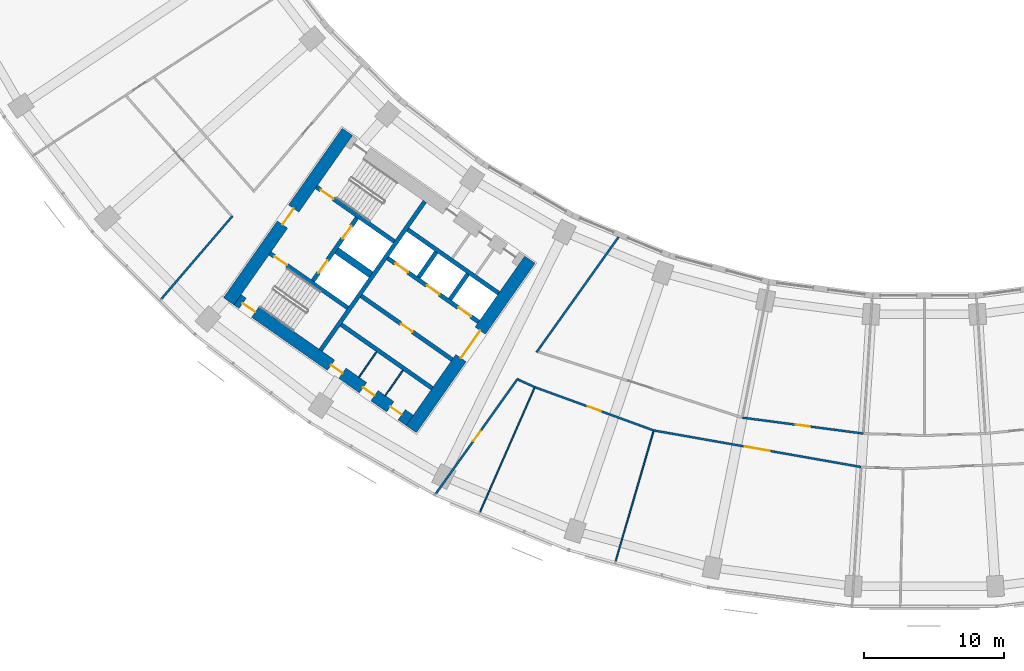
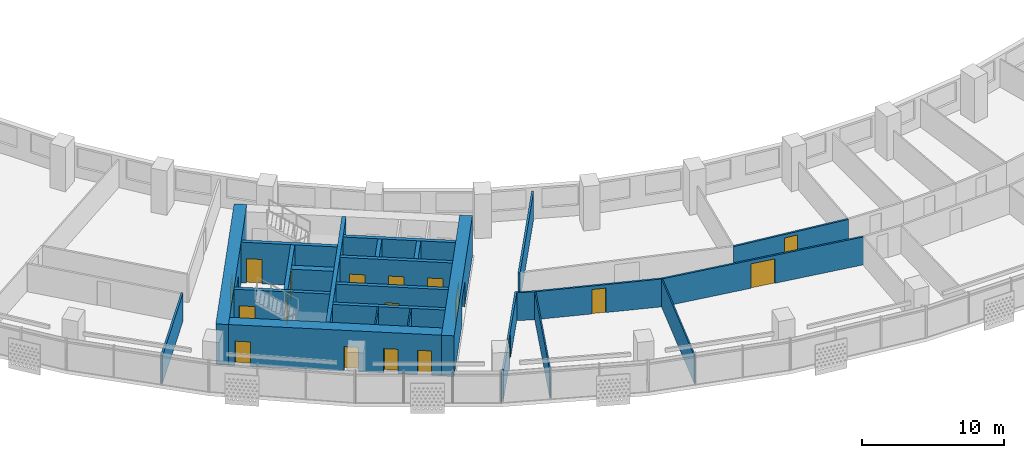
# One storey, part 3 of 29: 25 walls, 18 doors, 18 openings.
"""IFC4 building model written with IfcOpenShell, lengths in metres."""

from ifc_helpers import new_model, si_unit, direction, frame, frame_2d, origin, place, context, subcontext, project, spatial, rectangle, extrude, material, layer, layer_set, type_object, element, fill, save


model = new_model("IFC4")

# Units and contexts
model_context = context("Model", 3, precision=1e-05, world=origin(), true_north=direction((0.0, 1.0)))
body_context = subcontext(model_context, "Body", "Model", "MODEL_VIEW")
ifc_project = project(units=[si_unit("LENGTHUNIT", "METRE"), si_unit("AREAUNIT", "SQUARE_METRE"), si_unit("VOLUMEUNIT", "CUBIC_METRE"), si_unit("PLANEANGLEUNIT", "RADIAN"), si_unit("MASSUNIT", "GRAM", prefix="KILO")], contexts=[model_context])

# Site, building, storey
site_placement = place(None, origin())
site = spatial("IfcSite", under=ifc_project, at=site_placement, CompositionType="ELEMENT")
building_placement = place(site_placement, origin())
building = spatial("IfcBuilding", under=site, at=building_placement, Name="Qamariyya Broadcast Tower", CompositionType="ELEMENT")
storey_placement = place(building_placement, frame((0.0, 0.0, 136.699951171875)))
storey = spatial("IfcBuildingStorey", under=building, at=storey_placement, Name="L31", CompositionType="ELEMENT", Elevation=136.699951171875)

# Wall, opening, door
ifc_material_1 = material(Name="Concrete C70/85", Category="concrete")
ifc_layer_1 = layer(ifc_material_1, 0.89990234375)
ifc_layer_set_1 = layer_set([ifc_layer_1], Name="Core wall 900 mm Concrete C70/85")
wall_type_1 = type_object("IfcWallType", Name="Core wall 900 mm Concrete C70/85", PredefinedType="SHEAR", material=ifc_layer_set_1)
wall_1_placement = place(storey_placement, frame((-36.716796875, -66.3369140625, 0.0), z_axis=(0.0, 0.0, 1.0), x_axis=(0.573577477574, 0.819151315216, 0.0)))
wall_1 = element("IfcWall", 1, at=wall_1_placement, inside=storey, type_object=wall_type_1, Name="k-W-L31-WA", PredefinedType="SHEAR", context=body_context, shape_type="SweptSolid", body=[
    extrude(rectangle(XDim=14.800048828125, YDim=0.89990234375, at=frame_2d((7.39990234375, 0.0))), origin(), (0.0, 0.0, 1.0), 3.5),
])
opening_1_placement = place(wall_1_placement, frame((6.199951171875, 0.0, 0.0)))
opening_1 = element("IfcOpeningElement", 2, at=opening_1_placement, cuts=wall_1, Name="Opening KD3-W1", PredefinedType="OPENING", context=body_context, shape_type="SweptSolid", body=[
    extrude(rectangle(XDim=2.39990234375, YDim=2.10009765625, at=frame_2d((1.199951171875, 1.050048828125))), frame((0.0, 0.4599609375, 0.0), z_axis=(0.0, -1.0, 0.0), x_axis=(1.0, 0.0, 0.0)), (0.0, 0.0, 1.0), 0.919921875),
])
ifc_material_2 = material(Name="Steel fire-resisting door leaf", Category="steel")
door_type_1 = type_object("IfcDoorType", Name="Lift lobby door KD3", OperationType="DOUBLE_DOOR_SINGLE_SWING", PredefinedType="DOOR", material=ifc_material_2)
door_1_placement = place(opening_1_placement, origin())
door_1 = element("IfcDoor", 3, at=door_1_placement, inside=storey, type_object=door_type_1, Name="k-W-L31-WA-D1", OperationType="DOUBLE_DOOR_SINGLE_SWING", OverallHeight=2.10009765625, OverallWidth=2.39990234375, PredefinedType="DOOR", context=body_context, shape_type="SweptSolid", body=[
    extrude(rectangle(XDim=2.39990234375, YDim=2.10009765625, at=frame_2d((1.199951171875, 1.050048828125))), frame((0.0, 0.02490234375, 0.0), z_axis=(0.0, -1.0, 0.0), x_axis=(1.0, 0.0, 0.0)), (0.0, 0.0, 1.0), 0.050048828125),
])
fill(opening_1, door_1)

wall_2_placement = place(storey_placement, frame((-49.778564453125, -57.191162109375, 0.0), z_axis=(0.0, 0.0, 1.0), x_axis=(0.573577477574, 0.819151315216, 0.0)))
wall_2 = element("IfcWall", 4, at=wall_2_placement, inside=storey, type_object=wall_type_1, Name="k-W-L31-WH", PredefinedType="SHEAR", context=body_context, shape_type="SweptSolid", body=[
    extrude(rectangle(XDim=14.800048828125, YDim=0.89990234375, at=frame_2d((7.39990234375, 0.0))), origin(), (0.0, 0.0, 1.0), 3.5),
])
opening_2_placement = place(wall_2_placement, frame((6.699951171875, 0.0, 0.0)))
opening_2 = element("IfcOpeningElement", 5, at=opening_2_placement, cuts=wall_2, Name="Opening KD2-W1", PredefinedType="OPENING", context=body_context, shape_type="SweptSolid", body=[
    extrude(rectangle(XDim=1.39990234375, YDim=2.10009765625, at=frame_2d((0.699951171875, 1.050048828125))), frame((0.0, 0.4599609375, 0.0), z_axis=(0.0, -1.0, 0.0), x_axis=(1.0, 0.0, 0.0)), (0.0, 0.0, 1.0), 0.919921875),
])
door_type_2 = type_object("IfcDoorType", Name="Fire-fighting lobby door KD2", OperationType="DOUBLE_DOOR_SINGLE_SWING", PredefinedType="DOOR", material=ifc_material_2)
door_2_placement = place(opening_2_placement, origin())
door_2 = element("IfcDoor", 6, at=door_2_placement, inside=storey, type_object=door_type_2, Name="k-W-L31-WH-D14", OperationType="DOUBLE_DOOR_SINGLE_SWING", OverallHeight=2.10009765625, OverallWidth=1.39990234375, PredefinedType="DOOR", context=body_context, shape_type="SweptSolid", body=[
    extrude(rectangle(XDim=1.39990234375, YDim=2.10009765625, at=frame_2d((0.699951171875, 1.050048828125))), frame((0.0, 0.02490234375, 0.0), z_axis=(0.0, -1.0, 0.0), x_axis=(1.0, 0.0, 0.0)), (0.0, 0.0, 1.0), 0.050048828125),
])
fill(opening_2, door_2)

# Wall, openings, doors
wall_3_placement = place(storey_placement, frame((-36.827392578125, -65.710205078125, 0.0), z_axis=(0.0, 0.0, 1.0), x_axis=(-0.819153391756, 0.573574511963, 0.0)))
wall_3 = element("IfcWall", 7, at=wall_3_placement, inside=storey, type_object=wall_type_1, Name="k-W-L31-WO", PredefinedType="SHEAR", context=body_context, shape_type="SweptSolid", body=[
    extrude(rectangle(XDim=15.04541015625, YDim=0.89990234375, at=frame_2d((7.522705078125, 0.0))), origin(), (0.0, 0.0, 1.0), 3.5),
])
opening_3_placement = place(wall_3_placement, frame((0.699951171875, 0.0, 0.0)))
opening_3 = element("IfcOpeningElement", 8, at=opening_3_placement, cuts=wall_3, Name="Opening KD6-W3", PredefinedType="OPENING", context=body_context, shape_type="SweptSolid", body=[
    extrude(rectangle(XDim=1.0, YDim=2.10009765625, at=frame_2d((0.5, 1.050048828125))), frame((0.0, 0.4599609375, 0.0), z_axis=(0.0, -1.0, 0.0), x_axis=(1.0, 0.0, 0.0)), (0.0, 0.0, 1.0), 0.919921875),
])
opening_4_placement = place(wall_3_placement, frame((3.074951171875, 0.0, 0.0)))
opening_4 = element("IfcOpeningElement", 9, at=opening_4_placement, cuts=wall_3, Name="Opening KD4-W1", PredefinedType="OPENING", context=body_context, shape_type="SweptSolid", body=[
    extrude(rectangle(XDim=1.0, YDim=2.10009765625, at=frame_2d((0.5, 1.050048828125))), frame((0.0, 0.4599609375, 0.0), z_axis=(0.0, -1.0, 0.0), x_axis=(1.0, 0.0, 0.0)), (0.0, 0.0, 1.0), 0.919921875),
])
opening_5_placement = place(wall_3_placement, frame((5.875, 0.0, 0.0)))
opening_5 = element("IfcOpeningElement", 10, at=opening_5_placement, cuts=wall_3, Name="Opening KD4-W2", PredefinedType="OPENING", context=body_context, shape_type="SweptSolid", body=[
    extrude(rectangle(XDim=1.0, YDim=2.10009765625, at=frame_2d((0.5, 1.050048828125))), frame((0.0, 0.4599609375, 0.0), z_axis=(0.0, -1.0, 0.0), x_axis=(1.0, 0.0, 0.0)), (0.0, 0.0, 1.0), 0.919921875),
])
opening_6_placement = place(wall_3_placement, frame((13.495361328125, 0.0, 0.0)))
opening_6 = element("IfcOpeningElement", 11, at=opening_6_placement, cuts=wall_3, Name="Opening KD1-W3", PredefinedType="OPENING", context=body_context, shape_type="SweptSolid", body=[
    extrude(rectangle(XDim=1.10009765625, YDim=2.10009765625, at=frame_2d((0.550048828125, 1.050048828125))), frame((0.0, 0.4599609375, 0.0), z_axis=(0.0, -1.0, 0.0), x_axis=(1.0, 0.0, 0.0)), (0.0, 0.0, 1.0), 0.919921875),
])
door_type_3 = type_object("IfcDoorType", Name="Core room door KD6", OperationType="SINGLE_SWING_LEFT", PredefinedType="DOOR", material=ifc_material_2)
door_3_placement = place(opening_3_placement, origin())
door_3 = element("IfcDoor", 12, at=door_3_placement, inside=storey, type_object=door_type_3, Name="k-W-L31-WO-D9", OperationType="SINGLE_SWING_RIGHT", OverallHeight=2.10009765625, OverallWidth=1.0, PredefinedType="DOOR", context=body_context, shape_type="SweptSolid", body=[
    extrude(rectangle(XDim=1.0, YDim=2.10009765625, at=frame_2d((0.5, 1.050048828125))), frame((0.0, 0.02490234375, 0.0), z_axis=(0.0, -1.0, 0.0), x_axis=(1.0, 0.0, 0.0)), (0.0, 0.0, 1.0), 0.050048828125),
])
fill(opening_3, door_3)
door_type_4 = type_object("IfcDoorType", Name="Riser and plant door KD4", OperationType="SINGLE_SWING_LEFT", PredefinedType="DOOR", material=ifc_material_2)
door_4_placement = place(opening_4_placement, origin())
door_4 = element("IfcDoor", 13, at=door_4_placement, inside=storey, type_object=door_type_4, Name="k-W-L31-WO-D10", OperationType="SINGLE_SWING_LEFT", OverallHeight=2.10009765625, OverallWidth=1.0, PredefinedType="DOOR", context=body_context, shape_type="SweptSolid", body=[
    extrude(rectangle(XDim=1.0, YDim=2.10009765625, at=frame_2d((0.5, 1.050048828125))), frame((0.0, 0.02490234375, 0.0), z_axis=(0.0, -1.0, 0.0), x_axis=(1.0, 0.0, 0.0)), (0.0, 0.0, 1.0), 0.050048828125),
])
fill(opening_4, door_4)
door_5_placement = place(opening_5_placement, origin())
door_5 = element("IfcDoor", 14, at=door_5_placement, inside=storey, type_object=door_type_4, Name="k-W-L31-WO-D11", OperationType="SINGLE_SWING_RIGHT", OverallHeight=2.10009765625, OverallWidth=1.0, PredefinedType="DOOR", context=body_context, shape_type="SweptSolid", body=[
    extrude(rectangle(XDim=1.0, YDim=2.10009765625, at=frame_2d((0.5, 1.050048828125))), frame((0.0, 0.02490234375, 0.0), z_axis=(0.0, -1.0, 0.0), x_axis=(1.0, 0.0, 0.0)), (0.0, 0.0, 1.0), 0.050048828125),
])
fill(opening_5, door_5)
door_type_5 = type_object("IfcDoorType", Name="Stair door KD1", OperationType="SINGLE_SWING_LEFT", PredefinedType="DOOR", material=ifc_material_2)
door_6_placement = place(opening_6_placement, origin())
door_6 = element("IfcDoor", 15, at=door_6_placement, inside=storey, type_object=door_type_5, Name="k-W-L31-WO-D17", OperationType="SINGLE_SWING_LEFT", OverallHeight=2.10009765625, OverallWidth=1.10009765625, PredefinedType="DOOR", context=body_context, shape_type="SweptSolid", body=[
    extrude(rectangle(XDim=1.10009765625, YDim=2.10009765625, at=frame_2d((0.550048828125, 1.050048828125))), frame((0.0, 0.02490234375, 0.0), z_axis=(0.0, -1.0, 0.0), x_axis=(1.0, 0.0, 0.0)), (0.0, 0.0, 1.0), 0.050048828125),
])
fill(opening_6, door_6)

# Wall
ifc_material_3 = material(Name="Gypsum board partition")
ifc_layer_2 = layer(ifc_material_3, 0.14990234375)
ifc_layer_set_2 = layer_set([ifc_layer_2], Name="Corridor partition 150 EI 60")
wall_type_2 = type_object("IfcWallType", Name="Corridor partition 150 EI 60", PredefinedType="PARTITIONING", material=ifc_layer_set_2)
wall_4_placement = place(storey_placement, frame((-49.498779296875, -51.074951171875, 0.0), z_axis=(0.0, 0.0, 1.0), x_axis=(-0.65099144956, -0.759085062823, 0.0)))
element("IfcWall", 16, at=wall_4_placement, inside=storey, type_object=wall_type_2, Name="Partition L31-005", PredefinedType="PARTITIONING", context=body_context, shape_type="SweptSolid", body=[
    extrude(rectangle(XDim=7.83740234375, YDim=0.14990234375, at=frame_2d((3.918701171875, 0.0))), origin(), (0.0, 0.0, 1.0), 2.400146484375),
])

# Wall, opening, door
wall_5_placement = place(storey_placement, frame((-29.083984375, -62.710205078125, 0.0), z_axis=(0.0, 0.0, 1.0), x_axis=(-0.580031092611, -0.814594335608, 0.0)))
wall_5 = element("IfcWall", 17, at=wall_5_placement, inside=storey, type_object=wall_type_2, Name="Partition L31-009", PredefinedType="PARTITIONING", context=body_context, shape_type="SweptSolid", body=[
    extrude(rectangle(XDim=10.126220703125, YDim=0.14990234375, at=frame_2d((5.06298828125, 0.0))), origin(), (0.0, 0.0, 1.0), 2.400146484375),
])
opening_7_placement = place(wall_5_placement, frame((4.61328125, 0.0, 0.0)))
opening_7 = element("IfcOpeningElement", 18, at=opening_7_placement, cuts=wall_5, Name="Opening L31-D01", PredefinedType="OPENING", context=body_context, shape_type="SweptSolid", body=[
    extrude(rectangle(XDim=0.89990234375, YDim=2.10009765625, at=frame_2d((0.449951171875, 1.050048828125))), frame((0.0, 0.0849609375, 0.0), z_axis=(0.0, -1.0, 0.0), x_axis=(1.0, 0.0, 0.0)), (0.0, 0.0, 1.0), 0.169921875),
])
ifc_material_4 = material(Name="Timber fire door leaf", Category="wood")
door_type_6 = type_object("IfcDoorType", Name="Fire door 900 x 2100 FD60", OperationType="NOTDEFINED", PredefinedType="DOOR", material=ifc_material_4)
door_7_placement = place(opening_7_placement, origin())
door_7 = element("IfcDoor", 19, at=door_7_placement, inside=storey, type_object=door_type_6, Name="Door L31-D01", OperationType="SINGLE_SWING_RIGHT", OverallHeight=2.10009765625, OverallWidth=0.89990234375, PredefinedType="DOOR", context=body_context, shape_type="SweptSolid", body=[
    extrude(rectangle(XDim=0.89990234375, YDim=2.10009765625, at=frame_2d((0.449951171875, 1.050048828125))), frame((0.0, 0.02490234375, 0.0), z_axis=(0.0, -1.0, 0.0), x_axis=(1.0, 0.0, 0.0)), (0.0, 0.0, 1.0), 0.050048828125),
])
fill(opening_7, door_7)

# Wall
wall_6_placement = place(storey_placement, frame((-29.05908203125, -62.802001953125, 0.0), z_axis=(0.0, 0.0, 1.0), x_axis=(0.911173247906, -0.412023436592, 0.0)))
element("IfcWall", 20, at=wall_6_placement, inside=storey, type_object=wall_type_2, Name="Partition L31-010", PredefinedType="PARTITIONING", context=body_context, shape_type="SweptSolid", body=[
    extrude(rectangle(XDim=1.302978515625, YDim=0.14990234375, at=frame_2d((0.6513671875, 0.0))), origin(), (0.0, 0.0, 1.0), 2.400146484375),
])

# Wall, opening, door
wall_7_placement = place(storey_placement, frame((-19.365966796875, -66.434814453125, 0.0), z_axis=(0.0, 0.0, 1.0), x_axis=(-0.939690219257, 0.342026741401, 0.0)))
wall_7 = element("IfcWall", 21, at=wall_7_placement, inside=storey, type_object=wall_type_2, Name="Partition L31-011", PredefinedType="PARTITIONING", context=body_context, shape_type="SweptSolid", body=[
    extrude(rectangle(XDim=9.0517578125, YDim=0.14990234375, at=frame_2d((4.52587890625, 0.0))), origin(), (0.0, 0.0, 1.0), 2.400146484375),
])
opening_8_placement = place(wall_7_placement, frame((4.02587890625, 0.0, 0.0)))
opening_8 = element("IfcOpeningElement", 22, at=opening_8_placement, cuts=wall_7, Name="Opening L31-D02", PredefinedType="OPENING", context=body_context, shape_type="SweptSolid", body=[
    extrude(rectangle(XDim=1.0, YDim=2.10009765625, at=frame_2d((0.5, 1.050048828125))), frame((0.0, 0.0849609375, 0.0), z_axis=(0.0, -1.0, 0.0), x_axis=(1.0, 0.0, 0.0)), (0.0, 0.0, 1.0), 0.169921875),
])
door_type_7 = type_object("IfcDoorType", Name="Fire door 1000 x 2100 FD60", OperationType="NOTDEFINED", PredefinedType="DOOR", material=ifc_material_4)
door_8_placement = place(opening_8_placement, origin())
door_8 = element("IfcDoor", 23, at=door_8_placement, inside=storey, type_object=door_type_7, Name="Door L31-D02", OperationType="SINGLE_SWING_RIGHT", OverallHeight=2.10009765625, OverallWidth=1.0, PredefinedType="DOOR", context=body_context, shape_type="SweptSolid", body=[
    extrude(rectangle(XDim=1.0, YDim=2.10009765625, at=frame_2d((0.5, 1.050048828125))), frame((0.0, 0.02490234375, 0.0), z_axis=(0.0, -1.0, 0.0), x_axis=(1.0, 0.0, 0.0)), (0.0, 0.0, 1.0), 0.050048828125),
])
fill(opening_8, door_8)

# Wall
wall_8_placement = place(storey_placement, frame((-21.8837890625, -52.59765625, 0.0), z_axis=(0.0, 0.0, 1.0), x_axis=(-0.580016763963, -0.814604538118, 0.0)))
element("IfcWall", 24, at=wall_8_placement, inside=storey, type_object=wall_type_2, Name="Partition L31-014", PredefinedType="PARTITIONING", context=body_context, shape_type="SweptSolid", body=[
    extrude(rectangle(XDim=10.12109375, YDim=0.14990234375, at=frame_2d((5.060546875, 0.0))), origin(), (0.0, 0.0, 1.0), 2.400146484375),
])

# Wall, opening, door
wall_9_placement = place(storey_placement, frame((-4.52587890625, -69.0517578125, 0.0), z_axis=(0.0, 0.0, 1.0), x_axis=(-0.984805080703, 0.173663332402, 0.0)))
wall_9 = element("IfcWall", 25, at=wall_9_placement, inside=storey, type_object=wall_type_2, Name="Partition L31-015", PredefinedType="PARTITIONING", context=body_context, shape_type="SweptSolid", body=[
    extrude(rectangle(XDim=15.069091796875, YDim=0.14990234375, at=frame_2d((7.53466796875, 0.0))), origin(), (0.0, 0.0, 1.0), 2.400146484375),
])
opening_9_placement = place(wall_9_placement, frame((6.634521484375, 0.0, 0.0)))
opening_9 = element("IfcOpeningElement", 26, at=opening_9_placement, cuts=wall_9, Name="Opening L31-D03", PredefinedType="OPENING", context=body_context, shape_type="SweptSolid", body=[
    extrude(rectangle(XDim=1.800048828125, YDim=2.10009765625, at=frame_2d((0.89990234375, 1.050048828125))), frame((0.0, 0.0849609375, 0.0), z_axis=(0.0, -1.0, 0.0), x_axis=(1.0, 0.0, 0.0)), (0.0, 0.0, 1.0), 0.169921875),
])
door_type_8 = type_object("IfcDoorType", Name="Double fire door 1800 x 2100 FD60", OperationType="NOTDEFINED", PredefinedType="DOOR", material=ifc_material_4)
door_9_placement = place(opening_9_placement, origin())
door_9 = element("IfcDoor", 27, at=door_9_placement, inside=storey, type_object=door_type_8, Name="Door L31-D03", OperationType="DOUBLE_DOOR_SINGLE_SWING", OverallHeight=2.10009765625, OverallWidth=1.800048828125, PredefinedType="DOOR", context=body_context, shape_type="SweptSolid", body=[
    extrude(rectangle(XDim=1.800048828125, YDim=2.10009765625, at=frame_2d((0.89990234375, 1.050048828125))), frame((0.0, 0.02490234375, 0.0), z_axis=(0.0, -1.0, 0.0), x_axis=(1.0, 0.0, 0.0)), (0.0, 0.0, 1.0), 0.050048828125),
])
fill(opening_9, door_9)

wall_10_placement = place(storey_placement, frame((-13.031982421875, -65.516357421875, 0.0), z_axis=(0.0, 0.0, 1.0), x_axis=(0.991443260322, -0.130538352841, 0.0)))
wall_10 = element("IfcWall", 28, at=wall_10_placement, inside=storey, type_object=wall_type_2, Name="Partition L31-016", PredefinedType="PARTITIONING", context=body_context, shape_type="SweptSolid", body=[
    extrude(rectangle(XDim=8.73779296875, YDim=0.14990234375, at=frame_2d((4.368896484375, 0.0))), origin(), (0.0, 0.0, 1.0), 2.400146484375),
])
opening_10_placement = place(wall_10_placement, frame((3.868896484375, 0.0, 0.0)))
opening_10 = element("IfcOpeningElement", 29, at=opening_10_placement, cuts=wall_10, Name="Opening L31-D10", PredefinedType="OPENING", context=body_context, shape_type="SweptSolid", body=[
    extrude(rectangle(XDim=1.0, YDim=2.10009765625, at=frame_2d((0.5, 1.050048828125))), frame((0.0, 0.0849609375, 0.0), z_axis=(0.0, -1.0, 0.0), x_axis=(1.0, 0.0, 0.0)), (0.0, 0.0, 1.0), 0.169921875),
])
door_10_placement = place(opening_10_placement, origin())
door_10 = element("IfcDoor", 30, at=door_10_placement, inside=storey, type_object=door_type_7, Name="Door L31-D10", OperationType="SINGLE_SWING_RIGHT", OverallHeight=2.10009765625, OverallWidth=1.0, PredefinedType="DOOR", context=body_context, shape_type="SweptSolid", body=[
    extrude(rectangle(XDim=1.0, YDim=2.10009765625, at=frame_2d((0.5, 1.050048828125))), frame((0.0, 0.02490234375, 0.0), z_axis=(0.0, -1.0, 0.0), x_axis=(1.0, 0.0, 0.0)), (0.0, 0.0, 1.0), 0.050048828125),
])
fill(opening_10, door_10)

# Walls
ifc_material_5 = material(Name="Concrete C60/75", Category="concrete")
ifc_layer_3 = layer(ifc_material_5, 0.5)
ifc_layer_set_3 = layer_set([ifc_layer_3], Name="Fire-fighting lobby divider wall 500 mm Concrete C60/75")
wall_type_3 = type_object("IfcWallType", Name="Fire-fighting lobby divider wall 500 mm Concrete C60/75", PredefinedType="SOLIDWALL", material=ifc_layer_set_3)
wall_11_placement = place(storey_placement, frame((-39.59912109375, -55.28515625, 0.0), z_axis=(0.0, 0.0, 1.0), x_axis=(-0.819136323161, 0.573598887793, 0.0)))
element("IfcWall", 31, at=wall_11_placement, inside=storey, type_object=wall_type_3, Name="k-W-L31-FD", PredefinedType="SOLIDWALL", context=body_context, shape_type="SweptSolid", body=[
    extrude(rectangle(XDim=2.999755859375, YDim=0.5, at=frame_2d((1.5, 0.0))), origin(), (0.0, 0.0, 1.0), 3.5),
])
ifc_layer_4 = layer(ifc_material_5, 0.300048828125)
ifc_layer_set_4 = layer_set([ifc_layer_4], Name="Lift shaft wall 300 mm Concrete C60/75")
wall_type_4 = type_object("IfcWallType", Name="Lift shaft wall 300 mm Concrete C60/75", PredefinedType="SOLIDWALL", material=ifc_layer_set_4)
wall_12_placement = place(storey_placement, frame((-43.204345703125, -60.69580078125, 0.0), z_axis=(0.0, 0.0, 1.0), x_axis=(0.573571992966, 0.819155155563, 0.0)))
element("IfcWall", 32, at=wall_12_placement, inside=storey, type_object=wall_type_4, Name="k-W-L31-WL", PredefinedType="SOLIDWALL", context=body_context, shape_type="SweptSolid", body=[
    extrude(rectangle(XDim=13.000244140625, YDim=0.300048828125, at=frame_2d((6.5, 0.0))), origin(), (0.0, 0.0, 1.0), 3.5),
])

# Wall, openings, doors
wall_13_placement = place(storey_placement, frame((-31.89453125, -58.66552734375, 0.0), z_axis=(0.0, 0.0, 1.0), x_axis=(-0.819166993208, 0.573555086491, 0.0)))
wall_13 = element("IfcWall", 33, at=wall_13_placement, inside=storey, type_object=wall_type_4, Name="k-W-L31-NF0", PredefinedType="SOLIDWALL", context=body_context, shape_type="SweptSolid", body=[
    extrude(rectangle(XDim=7.9501953125, YDim=0.300048828125, at=frame_2d((3.97509765625, 0.0))), origin(), (0.0, 0.0, 1.0), 3.5),
])
opening_11_placement = place(wall_13_placement, frame((0.675048828125, 0.0, 0.0)))
opening_11 = element("IfcOpeningElement", 34, at=opening_11_placement, cuts=wall_13, Name="Opening LD", PredefinedType="OPENING", context=body_context, shape_type="SweptSolid", body=[
    extrude(rectangle(XDim=1.10009765625, YDim=2.10009765625, at=frame_2d((0.550048828125, 1.050048828125))), frame((0.0, 0.159912109375, 0.0), z_axis=(0.0, -1.0, 0.0), x_axis=(1.0, 0.0, 0.0)), (0.0, 0.0, 1.0), 0.320068359375),
])
opening_12_placement = place(wall_13_placement, frame((3.425048828125, 0.0, 0.0)))
opening_12 = element("IfcOpeningElement", 35, at=opening_12_placement, cuts=wall_13, Name="Opening LD", PredefinedType="OPENING", context=body_context, shape_type="SweptSolid", body=[
    extrude(rectangle(XDim=1.10009765625, YDim=2.10009765625, at=frame_2d((0.550048828125, 1.050048828125))), frame((0.0, 0.159912109375, 0.0), z_axis=(0.0, -1.0, 0.0), x_axis=(1.0, 0.0, 0.0)), (0.0, 0.0, 1.0), 0.320068359375),
])
opening_13_placement = place(wall_13_placement, frame((6.175048828125, 0.0, 0.0)))
opening_13 = element("IfcOpeningElement", 36, at=opening_13_placement, cuts=wall_13, Name="Opening LD", PredefinedType="OPENING", context=body_context, shape_type="SweptSolid", body=[
    extrude(rectangle(XDim=1.10009765625, YDim=2.10009765625, at=frame_2d((0.550048828125, 1.050048828125))), frame((0.0, 0.159912109375, 0.0), z_axis=(0.0, -1.0, 0.0), x_axis=(1.0, 0.0, 0.0)), (0.0, 0.0, 1.0), 0.320068359375),
])
door_type_9 = type_object("IfcDoorType", Name="Lift landing door LD", OperationType="DOUBLE_DOOR_SLIDING", PredefinedType="DOOR", material=ifc_material_2)
door_11_placement = place(opening_11_placement, origin())
door_11 = element("IfcDoor", 37, at=door_11_placement, inside=storey, type_object=door_type_9, Name="k-W-L31-NF0-D2", OperationType="DOUBLE_DOOR_SLIDING", OverallHeight=2.10009765625, OverallWidth=1.10009765625, PredefinedType="DOOR", context=body_context, shape_type="SweptSolid", body=[
    extrude(rectangle(XDim=1.10009765625, YDim=2.10009765625, at=frame_2d((0.550048828125, 1.050048828125))), frame((0.0, 0.02490234375, 0.0), z_axis=(0.0, -1.0, 0.0), x_axis=(1.0, 0.0, 0.0)), (0.0, 0.0, 1.0), 0.050048828125),
])
fill(opening_11, door_11)
door_12_placement = place(opening_12_placement, origin())
door_12 = element("IfcDoor", 38, at=door_12_placement, inside=storey, type_object=door_type_9, Name="k-W-L31-NF0-D3", OperationType="DOUBLE_DOOR_SLIDING", OverallHeight=2.10009765625, OverallWidth=1.10009765625, PredefinedType="DOOR", context=body_context, shape_type="SweptSolid", body=[
    extrude(rectangle(XDim=1.10009765625, YDim=2.10009765625, at=frame_2d((0.550048828125, 1.050048828125))), frame((0.0, 0.02490234375, 0.0), z_axis=(0.0, -1.0, 0.0), x_axis=(1.0, 0.0, 0.0)), (0.0, 0.0, 1.0), 0.050048828125),
])
fill(opening_12, door_12)
door_13_placement = place(opening_13_placement, origin())
door_13 = element("IfcDoor", 39, at=door_13_placement, inside=storey, type_object=door_type_9, Name="k-W-L31-NF0-D4", OperationType="DOUBLE_DOOR_SLIDING", OverallHeight=2.10009765625, OverallWidth=1.10009765625, PredefinedType="DOOR", context=body_context, shape_type="SweptSolid", body=[
    extrude(rectangle(XDim=1.10009765625, YDim=2.10009765625, at=frame_2d((0.550048828125, 1.050048828125))), frame((0.0, 0.02490234375, 0.0), z_axis=(0.0, -1.0, 0.0), x_axis=(1.0, 0.0, 0.0)), (0.0, 0.0, 1.0), 0.050048828125),
])
fill(opening_13, door_13)

# Walls
wall_14_placement = place(storey_placement, frame((-30.460693359375, -56.61767578125, 0.0), z_axis=(0.0, 0.0, 1.0), x_axis=(-0.819142461705, 0.573590121456, 0.0)))
element("IfcWall", 40, at=wall_14_placement, inside=storey, type_object=wall_type_4, Name="k-W-L31-NB0", PredefinedType="SOLIDWALL", context=body_context, shape_type="SweptSolid", body=[
    extrude(rectangle(XDim=7.949951171875, YDim=0.300048828125, at=frame_2d((3.97509765625, 0.0))), origin(), (0.0, 0.0, 1.0), 3.5),
])
wall_15_placement = place(storey_placement, frame((-33.9384765625, -57.051513671875, 0.0), z_axis=(0.0, 0.0, 1.0), x_axis=(0.573581496053, 0.819148501424, 0.0)))
element("IfcWall", 41, at=wall_15_placement, inside=storey, type_object=wall_type_4, Name="k-W-L31-ND0", PredefinedType="SOLIDWALL", context=body_context, shape_type="SweptSolid", body=[
    extrude(rectangle(XDim=2.2001953125, YDim=0.300048828125, at=frame_2d((1.10009765625, 0.0))), origin(), (0.0, 0.0, 1.0), 3.5),
])
wall_16_placement = place(storey_placement, frame((-36.19091796875, -55.47412109375, 0.0), z_axis=(0.0, 0.0, 1.0), x_axis=(0.573507030513, 0.819200638399, 0.0)))
element("IfcWall", 42, at=wall_16_placement, inside=storey, type_object=wall_type_4, Name="k-W-L31-ND1", PredefinedType="SOLIDWALL", context=body_context, shape_type="SweptSolid", body=[
    extrude(rectangle(XDim=2.199951171875, YDim=0.300048828125, at=frame_2d((1.10009765625, 0.0))), origin(), (0.0, 0.0, 1.0), 3.5),
])

# Wall, opening, door
wall_17_placement = place(storey_placement, frame((-33.787353515625, -61.368896484375, 0.0), z_axis=(0.0, 0.0, 1.0), x_axis=(-0.819152564888, 0.573575692858, 0.0)))
wall_17 = element("IfcWall", 43, at=wall_17_placement, inside=storey, type_object=wall_type_4, Name="k-W-L31-SF0", PredefinedType="SOLIDWALL", context=body_context, shape_type="SweptSolid", body=[
    extrude(rectangle(XDim=7.9501953125, YDim=0.300048828125, at=frame_2d((3.97509765625, 0.0))), origin(), (0.0, 0.0, 1.0), 3.5),
])
opening_14_placement = place(wall_17_placement, frame((3.47509765625, 0.0, 0.0)))
opening_14 = element("IfcOpeningElement", 44, at=opening_14_placement, cuts=wall_17, Name="Opening KD6-W1", PredefinedType="OPENING", context=body_context, shape_type="SweptSolid", body=[
    extrude(rectangle(XDim=1.0, YDim=2.10009765625, at=frame_2d((0.5, 1.050048828125))), frame((0.0, 0.159912109375, 0.0), z_axis=(0.0, -1.0, 0.0), x_axis=(1.0, 0.0, 0.0)), (0.0, 0.0, 1.0), 0.320068359375),
])
door_14_placement = place(opening_14_placement, origin())
door_14 = element("IfcDoor", 45, at=door_14_placement, inside=storey, type_object=door_type_3, Name="k-W-L31-SF0-D5", OperationType="SINGLE_SWING_RIGHT", OverallHeight=2.10009765625, OverallWidth=1.0, PredefinedType="DOOR", context=body_context, shape_type="SweptSolid", body=[
    extrude(rectangle(XDim=1.0, YDim=2.10009765625, at=frame_2d((0.5, 1.050048828125))), frame((0.0, 0.02490234375, 0.0), z_axis=(0.0, -1.0, 0.0), x_axis=(1.0, 0.0, 0.0)), (0.0, 0.0, 1.0), 0.050048828125),
])
fill(opening_14, door_14)

# Wall
wall_18_placement = place(storey_placement, frame((-35.22119140625, -63.41650390625, 0.0), z_axis=(0.0, 0.0, 1.0), x_axis=(-0.819166993208, 0.573555086491, 0.0)))
element("IfcWall", 46, at=wall_18_placement, inside=storey, type_object=wall_type_4, Name="k-W-L31-SB0", PredefinedType="SOLIDWALL", context=body_context, shape_type="SweptSolid", body=[
    extrude(rectangle(XDim=7.9501953125, YDim=0.300048828125, at=frame_2d((3.97509765625, 0.0))), origin(), (0.0, 0.0, 1.0), 3.5),
])

# Wall, opening, door
wall_19_placement = place(storey_placement, frame((-37.935546875, -52.90966796875, 0.0), z_axis=(0.0, 0.0, 1.0), x_axis=(-0.819147518138, 0.57358290031, 0.0)))
wall_19 = element("IfcWall", 47, at=wall_19_placement, inside=storey, type_object=wall_type_4, Name="k-W-L31-NW", PredefinedType="SOLIDWALL", context=body_context, shape_type="SweptSolid", body=[
    extrude(rectangle(XDim=6.79541015625, YDim=0.300048828125, at=frame_2d((3.397705078125, 0.0))), origin(), (0.0, 0.0, 1.0), 3.5),
])
opening_15_placement = place(wall_19_placement, frame((5.3203125, 0.0, 0.0)))
opening_15 = element("IfcOpeningElement", 48, at=opening_15_placement, cuts=wall_19, Name="Opening KD1-W2", PredefinedType="OPENING", context=body_context, shape_type="SweptSolid", body=[
    extrude(rectangle(XDim=1.10009765625, YDim=2.10009765625, at=frame_2d((0.550048828125, 1.050048828125))), frame((0.0, 0.159912109375, 0.0), z_axis=(0.0, -1.0, 0.0), x_axis=(1.0, 0.0, 0.0)), (0.0, 0.0, 1.0), 0.320068359375),
])
door_15_placement = place(opening_15_placement, origin())
door_15 = element("IfcDoor", 49, at=door_15_placement, inside=storey, type_object=door_type_5, Name="k-W-L31-NW-D16", OperationType="SINGLE_SWING_LEFT", OverallHeight=2.10009765625, OverallWidth=1.10009765625, PredefinedType="DOOR", context=body_context, shape_type="SweptSolid", body=[
    extrude(rectangle(XDim=1.10009765625, YDim=2.10009765625, at=frame_2d((0.550048828125, 1.050048828125))), frame((0.0, 0.02490234375, 0.0), z_axis=(0.0, -1.0, 0.0), x_axis=(1.0, 0.0, 0.0)), (0.0, 0.0, 1.0), 0.050048828125),
])
fill(opening_15, door_15)

wall_20_placement = place(storey_placement, frame((-41.262451171875, -57.66064453125, 0.0), z_axis=(0.0, 0.0, 1.0), x_axis=(-0.819164398642, 0.573558792102, 0.0)))
wall_20 = element("IfcWall", 50, at=wall_20_placement, inside=storey, type_object=wall_type_4, Name="k-W-L31-SW", PredefinedType="SOLIDWALL", context=body_context, shape_type="SweptSolid", body=[
    extrude(rectangle(XDim=6.795166015625, YDim=0.300048828125, at=frame_2d((3.3974609375, 0.0))), origin(), (0.0, 0.0, 1.0), 3.5),
])
opening_16_placement = place(wall_20_placement, frame((5.3203125, 0.0, 0.0)))
opening_16 = element("IfcOpeningElement", 51, at=opening_16_placement, cuts=wall_20, Name="Opening KD1-W4", PredefinedType="OPENING", context=body_context, shape_type="SweptSolid", body=[
    extrude(rectangle(XDim=1.10009765625, YDim=2.10009765625, at=frame_2d((0.550048828125, 1.050048828125))), frame((0.0, 0.159912109375, 0.0), z_axis=(0.0, -1.0, 0.0), x_axis=(1.0, 0.0, 0.0)), (0.0, 0.0, 1.0), 0.320068359375),
])
door_16_placement = place(opening_16_placement, origin())
door_16 = element("IfcDoor", 52, at=door_16_placement, inside=storey, type_object=door_type_5, Name="k-W-L31-SW-D18", OperationType="SINGLE_SWING_LEFT", OverallHeight=2.10009765625, OverallWidth=1.10009765625, PredefinedType="DOOR", context=body_context, shape_type="SweptSolid", body=[
    extrude(rectangle(XDim=1.10009765625, YDim=2.10009765625, at=frame_2d((0.550048828125, 1.050048828125))), frame((0.0, 0.02490234375, 0.0), z_axis=(0.0, -1.0, 0.0), x_axis=(1.0, 0.0, 0.0)), (0.0, 0.0, 1.0), 0.050048828125),
])
fill(opening_16, door_16)

# Wall, openings, doors
wall_21_placement = place(storey_placement, frame((-43.756591796875, -55.731201171875, 0.0), z_axis=(0.0, 0.0, 1.0), x_axis=(0.573536818435, 0.819179783625, 0.0)))
wall_21 = element("IfcWall", 53, at=wall_21_placement, inside=storey, type_object=wall_type_4, Name="k-W-L31-FF", PredefinedType="SOLIDWALL", context=body_context, shape_type="SweptSolid", body=[
    extrude(rectangle(XDim=5.500244140625, YDim=0.300048828125, at=frame_2d((2.75, 0.0))), origin(), (0.0, 0.0, 1.0), 3.5),
])
opening_17_placement = place(wall_21_placement, frame((0.699951171875, 0.0, 0.0)))
opening_17 = element("IfcOpeningElement", 54, at=opening_17_placement, cuts=wall_21, Name="Opening LD", PredefinedType="OPENING", context=body_context, shape_type="SweptSolid", body=[
    extrude(rectangle(XDim=1.10009765625, YDim=2.10009765625, at=frame_2d((0.550048828125, 1.050048828125))), frame((0.0, 0.159912109375, 0.0), z_axis=(0.0, -1.0, 0.0), x_axis=(1.0, 0.0, 0.0)), (0.0, 0.0, 1.0), 0.320068359375),
])
opening_18_placement = place(wall_21_placement, frame((3.699951171875, 0.0, 0.0)))
opening_18 = element("IfcOpeningElement", 55, at=opening_18_placement, cuts=wall_21, Name="Opening LD", PredefinedType="OPENING", context=body_context, shape_type="SweptSolid", body=[
    extrude(rectangle(XDim=1.10009765625, YDim=2.10009765625, at=frame_2d((0.550048828125, 1.050048828125))), frame((0.0, 0.159912109375, 0.0), z_axis=(0.0, -1.0, 0.0), x_axis=(1.0, 0.0, 0.0)), (0.0, 0.0, 1.0), 0.320068359375),
])
door_17_placement = place(opening_17_placement, origin())
door_17 = element("IfcDoor", 56, at=door_17_placement, inside=storey, type_object=door_type_9, Name="k-W-L31-FF-D12", OperationType="DOUBLE_DOOR_SLIDING", OverallHeight=2.10009765625, OverallWidth=1.10009765625, PredefinedType="DOOR", context=body_context, shape_type="SweptSolid", body=[
    extrude(rectangle(XDim=1.10009765625, YDim=2.10009765625, at=frame_2d((0.550048828125, 1.050048828125))), frame((0.0, 0.02490234375, 0.0), z_axis=(0.0, -1.0, 0.0), x_axis=(1.0, 0.0, 0.0)), (0.0, 0.0, 1.0), 0.050048828125),
])
fill(opening_17, door_17)
door_18_placement = place(opening_18_placement, origin())
door_18 = element("IfcDoor", 57, at=door_18_placement, inside=storey, type_object=door_type_9, Name="k-W-L31-FF-D13", OperationType="DOUBLE_DOOR_SLIDING", OverallHeight=2.10009765625, OverallWidth=1.10009765625, PredefinedType="DOOR", context=body_context, shape_type="SweptSolid", body=[
    extrude(rectangle(XDim=1.10009765625, YDim=2.10009765625, at=frame_2d((0.550048828125, 1.050048828125))), frame((0.0, 0.02490234375, 0.0), z_axis=(0.0, -1.0, 0.0), x_axis=(1.0, 0.0, 0.0)), (0.0, 0.0, 1.0), 0.050048828125),
])
fill(opening_18, door_18)

# Walls
ifc_layer_5 = layer(ifc_material_3, 0.10009765625)
ifc_layer_set_5 = layer_set([ifc_layer_5], Name="Partition 100")
wall_type_5 = type_object("IfcWallType", Name="Partition 100", PredefinedType="PARTITIONING", material=ifc_layer_set_5)
for number, where, z_axis, x_axis, name in (
    (58, (-31.798583984375, -72.26220703125, 0.0), (0.0, 0.0, 1.0), (0.402773288685, 0.915299774894, 0.0), "Partition L31-008"),
    (59, (-22.09423828125, -75.79443359375, 0.0), (0.0, 0.0, 1.0), (0.279846881911, 0.960044646194, 0.0), "Partition L31-013"),
):
    element("IfcWall", number, at=place(storey_placement, frame(where, z_axis=z_axis, x_axis=x_axis)), inside=storey, type_object=wall_type_5, Name=name, PredefinedType="PARTITIONING", context=body_context, shape_type="SweptSolid", body=[
        extrude(rectangle(XDim=9.674072265625, YDim=0.10009765625, at=frame_2d((4.8369140625, 0.0))), origin(), (0.0, 0.0, 1.0), 2.400146484375),
    ])
ifc_material_6 = material(Name="Fire-rated gypsum shaft liner on steel studs", Category="steel")
ifc_layer_6 = layer(ifc_material_6, 0.10009765625)
ifc_layer_set_6 = layer_set([ifc_layer_6], Name="Riser wall 100 mm")
wall_type_6 = type_object("IfcWallType", Name="Riser wall 100 mm", PredefinedType="PLUMBINGWALL", material=ifc_layer_set_6)
wall_22_placement = place(storey_placement, frame((-37.314208984375, -62.13427734375, 0.0), z_axis=(0.0, 0.0, 1.0), x_axis=(-0.573633636671, -0.819111989218, 0.0)))
element("IfcWall", 60, at=wall_22_placement, inside=storey, type_object=wall_type_6, Name="k-W-L31-SP245", PredefinedType="PLUMBINGWALL", context=body_context, shape_type="SweptSolid", body=[
    extrude(rectangle(XDim=2.199951171875, YDim=0.10009765625, at=frame_2d((1.10009765625, 0.0))), origin(), (0.0, 0.0, 1.0), 3.5),
])
wall_23_placement = place(storey_placement, frame((-39.1982421875, -60.81494140625, 0.0), z_axis=(0.0, 0.0, 1.0), x_axis=(-0.573581496053, -0.819148501424, 0.0)))
element("IfcWall", 61, at=wall_23_placement, inside=storey, type_object=wall_type_6, Name="k-W-L31-SP475", PredefinedType="PLUMBINGWALL", context=body_context, shape_type="SweptSolid", body=[
    extrude(rectangle(XDim=2.2001953125, YDim=0.10009765625, at=frame_2d((1.10009765625, 0.0))), origin(), (0.0, 0.0, 1.0), 3.5),
])

save(model, "model.ifc")
